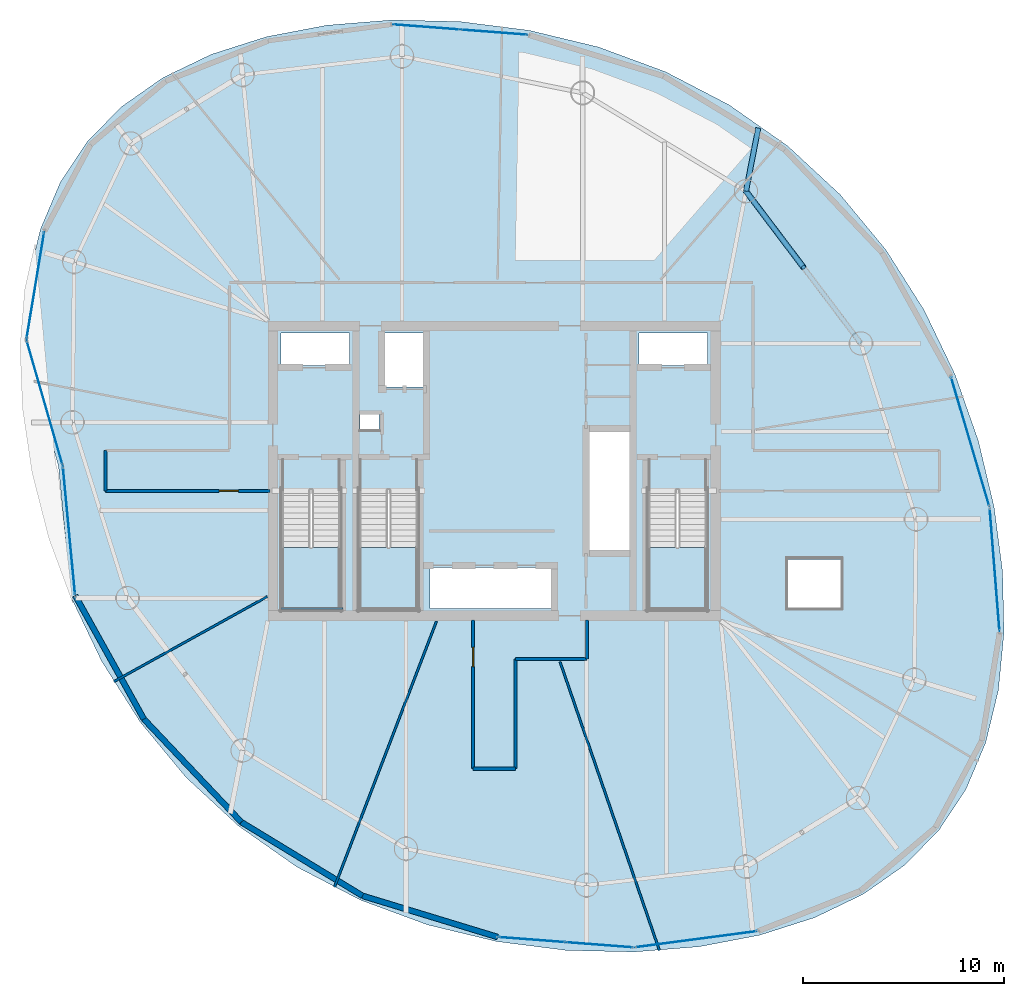
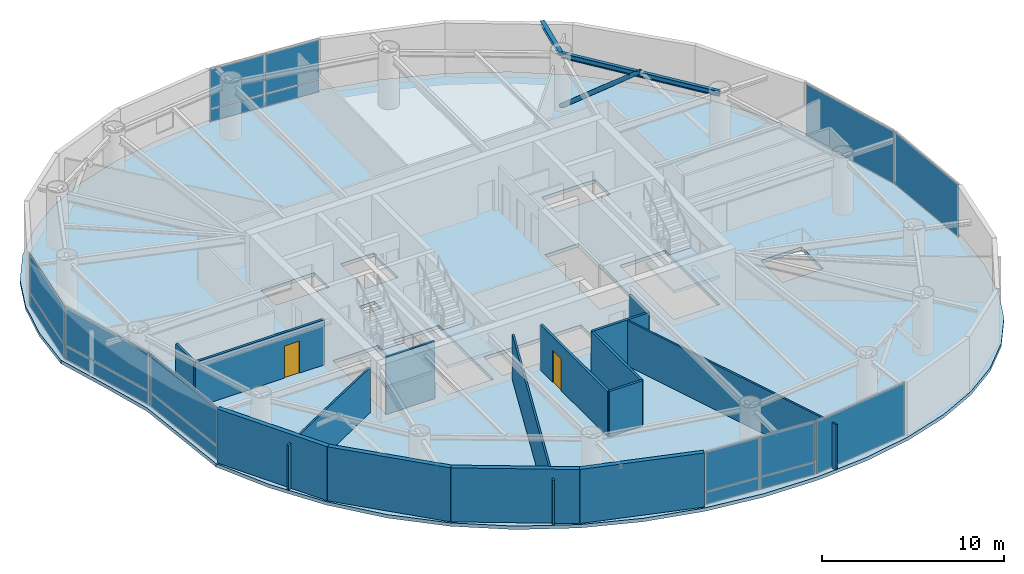
# One storey, part 15 of 21: 17 plates, 15 walls, 4 slabs, 2 beams, 2 doors, 1 member, 2 openings, 11 elements without a shape of their own.
"""IFC4 building model written with IfcOpenShell, lengths in metres."""

from ifc_helpers import new_model, si_unit, direction, frame, frame_2d, origin, origin_2d, place, context, subcontext, project, spatial, polyline, rectangle, hollow_circle, i_section, outline, extrude, material, layer, layer_set, material_profile, profile_set, type_object, element, fill, aggregate, save


model = new_model("IFC4")

# Units and contexts
model_context = context("Model", 3, precision=1e-05, world=origin(), true_north=direction((0.0, 1.0)))
body_context = subcontext(model_context, "Body", "Model", "MODEL_VIEW")
ifc_project = project(units=[si_unit("LENGTHUNIT", "METRE"), si_unit("AREAUNIT", "SQUARE_METRE"), si_unit("VOLUMEUNIT", "CUBIC_METRE"), si_unit("PLANEANGLEUNIT", "RADIAN"), si_unit("MASSUNIT", "GRAM", prefix="KILO")], contexts=[model_context])

# Site, building, storey
site_placement = place(None, origin())
site = spatial("IfcSite", under=ifc_project, at=site_placement, CompositionType="ELEMENT")
building_placement = place(site_placement, origin())
building = spatial("IfcBuilding", under=site, at=building_placement, Name="Bramvorn Convention Spire", CompositionType="ELEMENT")
storey_placement = place(building_placement, frame((0.0, 0.0, 186.60009765625)))
storey = spatial("IfcBuildingStorey", under=building, at=storey_placement, Name="L47", CompositionType="ELEMENT", Elevation=186.60009765625)

# Beams
ifc_material_1 = material(Name="Steel CSA G40.21 Grade 350 (350W)", Category="steel")
ifc_material_profile_1 = material_profile(ifc_material_1, i_section(OverallWidth=0.25390625, OverallDepth=0.2529296875, WebThickness=0.008544921875, FlangeThickness=0.01416015625, FilletRadius=0.011962890625, at=origin_2d()))
ifc_profile_set_1 = profile_set([ifc_material_profile_1], Name="Steel CSA G40.21 Grade 350 (350W) - W250X73")
beam_type_1 = type_object("IfcBeamType", Name="BM-W250X73", PredefinedType="BEAM", material=ifc_profile_set_1)
beam_1_placement = place(storey_placement, frame((50.501953125, 39.885009765625, 3.493408203125), z_axis=(0.190977895588, 0.981594337492, 0.0), x_axis=(-0.981594337492, 0.190977895588, 0.0)))
element("IfcBeam", 1, at=beam_1_placement, inside=storey, type_object=beam_type_1, Name="L47 slab-edge cantilever tip beam MC05", PredefinedType="BEAM", context=body_context, shape_type="SweptSolid", body=[
    extrude(i_section(OverallWidth=0.25390625, OverallDepth=0.2529296875, WebThickness=0.008544921875, FlangeThickness=0.01416015625, FilletRadius=0.011962890625, at=origin_2d()), origin(), (0.0, 0.0, 1.0), 3.19970703125),
])
ifc_material_profile_2 = material_profile(ifc_material_1, i_section(OverallWidth=0.205078125, OverallDepth=0.35400390625, WebThickness=0.009521484375, FlangeThickness=0.016845703125, FilletRadius=0.014892578125, at=origin_2d()))
ifc_profile_set_2 = profile_set([ifc_material_profile_2], Name="Steel CSA G40.21 Grade 350 (350W) - W360X79")
beam_type_2 = type_object("IfcBeamType", Name="BM-W360X79", PredefinedType="JOIST", material=ifc_profile_set_2)
beam_2_placement = place(storey_placement, frame((56.21044921875, 32.327392578125, 3.44287109375), z_axis=(-0.602718581414, 0.797953827999, 0.0), x_axis=(-0.797953827999, -0.602718581414, 0.0)))
element("IfcBeam", 2, at=beam_2_placement, inside=storey, type_object=beam_type_2, Name="L47 mega-column ring beam 04", PredefinedType="JOIST", context=body_context, shape_type="SweptSolid", body=[
    extrude(i_section(OverallWidth=0.205078125, OverallDepth=0.35400390625, WebThickness=0.009521484375, FlangeThickness=0.016845703125, FilletRadius=0.014892578125, at=origin_2d()), origin(), (0.0, 0.0, 1.0), 9.47119140625),
])

# Member
ifc_material_profile_3 = material_profile(ifc_material_1, hollow_circle(Radius=0.136474609375, WallThickness=0.0126953125, at=origin_2d()))
ifc_profile_set_3 = profile_set([ifc_material_profile_3], Name="Steel CSA G40.21 Grade 350 (350W) - CHS273X13")
member_type = type_object("IfcMemberType", Name="MBR-CHS273X13", PredefinedType="BRACE", material=ifc_profile_set_3)
member_placement = place(storey_placement, frame((50.501953125, 39.885009765625, 0.0), z_axis=(0.478846711924, -0.633956839206, 0.607292806235), x_axis=(0.797953827999, 0.602718581414, 0.0)))
element("IfcMember", 3, at=member_placement, inside=storey, type_object=member_type, Name="L47 perimeter Gothic lancet brace 4B", PredefinedType="BRACE", context=body_context, shape_type="SweptSolid", body=[
    extrude(hollow_circle(Radius=0.136474609375, WallThickness=0.0126953125, at=origin_2d()), origin(), (0.0, 0.0, 1.0), 5.960693359375),
])

# Curtain wall, plate
ifc_material_2 = material(Name="Anodised Bronze Unitised Curtain Wall", Category="aluminium")
ifc_layer_1 = layer(ifc_material_2, 0.179931640625)
ifc_layer_set_1 = layer_set([ifc_layer_1], Name="Anodised Bronze Unitised Curtain Wall - CW-OFF-FRIT")
curtain_wall_type_1 = type_object("IfcCurtainWallType", Name="CW-OFF-FRIT", PredefinedType="USERDEFINED", material=ifc_layer_set_1)
curtain_wall_1_placement = place(storey_placement, origin())
curtain_wall_1 = element("IfcCurtainWall", 4, at=curtain_wall_1_placement, inside=storey, type_object=curtain_wall_type_1, Name="L47 fritted glass curtain wall 03", ObjectType="UNITISED CURTAIN WALL", PredefinedType="USERDEFINED")
ifc_material_3 = material(Name="Laminated Low-E Glass (Triple IGU Solar Bronze Frit 28%)", Category="glass")
ifc_layer_2 = layer(ifc_material_3, 0.0400390625)
ifc_layer_set_2 = layer_set([ifc_layer_2], Name="Laminated Low-E Glass (Triple IGU Solar Bronze Frit 28%) - PNL-IGU-3")
plate_type_1 = type_object("IfcPlateType", Name="PNL-IGU-3", PredefinedType="CURTAIN_PANEL", material=ifc_layer_set_2)
plate_1_placement = place(storey_placement, frame((62.85498046875, 21.08154296875, 0.059814453125), z_axis=(0.0, 0.0, 1.0), x_axis=(0.079694154146, -0.996819362671, 0.0)))
plate_1 = element("IfcPlate", 5, at=plate_1_placement, type_object=plate_type_1, Name="CW3 panel 1.1", PredefinedType="CURTAIN_PANEL", context=body_context, shape_type="SweptSolid", body=[
    extrude(rectangle(XDim=6.106201171875, YDim=0.028076171875, at=origin_2d()), origin(), (0.0, 0.0, 1.0), 3.5),
])
aggregate(curtain_wall_1, [plate_1])

curtain_wall_2_placement = place(storey_placement, origin())
curtain_wall_2 = element("IfcCurtainWall", 6, at=curtain_wall_2_placement, inside=storey, type_object=curtain_wall_type_1, Name="L47 fritted glass curtain wall 04", ObjectType="UNITISED CURTAIN WALL", PredefinedType="USERDEFINED")
plate_2_placement = place(storey_placement, frame((61.6435546875, 27.4375, 0.059814453125), z_axis=(0.0, 0.0, 1.0), x_axis=(0.283966881738, -0.958834088921, 0.0)))
plate_2 = element("IfcPlate", 7, at=plate_2_placement, type_object=plate_type_1, Name="CW3 panel 1.1", PredefinedType="CURTAIN_PANEL", context=body_context, shape_type="SweptSolid", body=[
    extrude(rectangle(XDim=6.66455078125, YDim=0.028076171875, at=origin_2d()), origin(), (0.0, 0.0, 1.0), 3.5),
])
aggregate(curtain_wall_2, [plate_2])

# Curtain wall, plates
curtain_wall_3_placement = place(storey_placement, origin())
curtain_wall_3 = element("IfcCurtainWall", 8, at=curtain_wall_3_placement, inside=storey, type_object=curtain_wall_type_1, Name="L47 fritted glass curtain wall 09", ObjectType="UNITISED CURTAIN WALL", PredefinedType="USERDEFINED")
plate_3_placement = place(storey_placement, frame((34.6396484375, 48.039794921875, 0.059814453125), z_axis=(0.0, 0.0, 1.0), x_axis=(0.997056132632, -0.076675083187, 0.0)))
plate_3 = element("IfcPlate", 9, at=plate_3_placement, type_object=plate_type_1, Name="CW3 panel 1.1", PredefinedType="CURTAIN_PANEL", context=body_context, shape_type="SweptSolid", body=[
    extrude(rectangle(XDim=3.30224609375, YDim=0.028076171875, at=origin_2d()), origin(), (0.0, 0.0, 1.0), 0.81005859375),
])
plate_4_placement = place(storey_placement, frame((34.6396484375, 48.039794921875, 0.929931640625), z_axis=(0.0, 0.0, 1.0), x_axis=(0.997056132632, -0.076675083187, 0.0)))
plate_4 = element("IfcPlate", 10, at=plate_4_placement, type_object=plate_type_1, Name="CW3 panel 1.2", PredefinedType="CURTAIN_PANEL", context=body_context, shape_type="SweptSolid", body=[
    extrude(rectangle(XDim=3.30224609375, YDim=0.028076171875, at=origin_2d()), origin(), (0.0, 0.0, 1.0), 2.6298828125),
])
plate_5_placement = place(storey_placement, frame((37.991943359375, 47.781982421875, 0.059814453125), z_axis=(0.0, 0.0, 1.0), x_axis=(0.997056132632, -0.076675083187, 0.0)))
plate_5 = element("IfcPlate", 11, at=plate_5_placement, type_object=plate_type_1, Name="CW3 panel 2.1", PredefinedType="CURTAIN_PANEL", context=body_context, shape_type="SweptSolid", body=[
    extrude(rectangle(XDim=3.30224609375, YDim=0.028076171875, at=origin_2d()), origin(), (0.0, 0.0, 1.0), 0.81005859375),
])
plate_6_placement = place(storey_placement, frame((37.991943359375, 47.781982421875, 0.929931640625), z_axis=(0.0, 0.0, 1.0), x_axis=(0.997056132632, -0.076675083187, 0.0)))
plate_6 = element("IfcPlate", 12, at=plate_6_placement, type_object=plate_type_1, Name="CW3 panel 2.2", PredefinedType="CURTAIN_PANEL", context=body_context, shape_type="SweptSolid", body=[
    extrude(rectangle(XDim=3.30224609375, YDim=0.028076171875, at=origin_2d()), origin(), (0.0, 0.0, 1.0), 2.6298828125),
])
aggregate(curtain_wall_3, [plate_3, plate_4, plate_5, plate_6])

curtain_wall_4_placement = place(storey_placement, origin())
curtain_wall_4 = element("IfcCurtainWall", 13, at=curtain_wall_4_placement, inside=storey, type_object=curtain_wall_type_1, Name="L47 fritted glass curtain wall 21", ObjectType="UNITISED CURTAIN WALL", PredefinedType="USERDEFINED")
plate_7_placement = place(storey_placement, frame((43.226806640625, 2.451416015625, 0.059814453125), z_axis=(0.0, 0.0, 1.0), x_axis=(-0.997057345973, 0.07665930368, 0.0)))
plate_7 = element("IfcPlate", 14, at=plate_7_placement, type_object=plate_type_1, Name="CW3 panel 1.1", PredefinedType="CURTAIN_PANEL", context=body_context, shape_type="SweptSolid", body=[
    extrude(rectangle(XDim=3.30224609375, YDim=0.028076171875, at=origin_2d()), origin(), (0.0, 0.0, 1.0), 0.81005859375),
])
plate_8_placement = place(storey_placement, frame((43.226806640625, 2.451416015625, 0.929931640625), z_axis=(0.0, 0.0, 1.0), x_axis=(-0.997057345973, 0.07665930368, 0.0)))
plate_8 = element("IfcPlate", 15, at=plate_8_placement, type_object=plate_type_1, Name="CW3 panel 1.2", PredefinedType="CURTAIN_PANEL", context=body_context, shape_type="SweptSolid", body=[
    extrude(rectangle(XDim=3.30224609375, YDim=0.028076171875, at=origin_2d()), origin(), (0.0, 0.0, 1.0), 2.6298828125),
])
plate_9_placement = place(storey_placement, frame((39.87451171875, 2.709228515625, 0.059814453125), z_axis=(0.0, 0.0, 1.0), x_axis=(-0.997057345973, 0.07665930368, 0.0)))
plate_9 = element("IfcPlate", 16, at=plate_9_placement, type_object=plate_type_1, Name="CW3 panel 2.1", PredefinedType="CURTAIN_PANEL", context=body_context, shape_type="SweptSolid", body=[
    extrude(rectangle(XDim=3.30224609375, YDim=0.028076171875, at=origin_2d()), origin(), (0.0, 0.0, 1.0), 0.81005859375),
])
plate_10_placement = place(storey_placement, frame((39.87451171875, 2.709228515625, 0.929931640625), z_axis=(0.0, 0.0, 1.0), x_axis=(-0.997057345973, 0.07665930368, 0.0)))
plate_10 = element("IfcPlate", 17, at=plate_10_placement, type_object=plate_type_1, Name="CW3 panel 2.2", PredefinedType="CURTAIN_PANEL", context=body_context, shape_type="SweptSolid", body=[
    extrude(rectangle(XDim=3.30224609375, YDim=0.028076171875, at=origin_2d()), origin(), (0.0, 0.0, 1.0), 2.6298828125),
])
aggregate(curtain_wall_4, [plate_7, plate_8, plate_9, plate_10])

# Curtain wall, plate
curtain_wall_5_placement = place(storey_placement, origin())
curtain_wall_5 = element("IfcCurtainWall", 18, at=curtain_wall_5_placement, inside=storey, type_object=curtain_wall_type_1, Name="L47 fritted glass curtain wall 22", ObjectType="UNITISED CURTAIN WALL", PredefinedType="USERDEFINED")
plate_11_placement = place(storey_placement, frame((48.019287109375, 2.728271484375, 0.059814453125), z_axis=(0.0, 0.0, 1.0), x_axis=(-0.991379295411, -0.131023252248, 0.0)))
plate_11 = element("IfcPlate", 19, at=plate_11_placement, type_object=plate_type_1, Name="CW3 panel 1.1", PredefinedType="CURTAIN_PANEL", context=body_context, shape_type="SweptSolid", body=[
    extrude(rectangle(XDim=6.1064453125, YDim=0.028076171875, at=origin_2d()), origin(), (0.0, 0.0, 1.0), 3.5),
])
aggregate(curtain_wall_5, [plate_11])

# Curtain wall, plates
ifc_layer_3 = layer(ifc_material_2, 0.219970703125)
ifc_layer_set_3 = layer_set([ifc_layer_3], Name="Anodised Bronze Unitised Curtain Wall - CW-SKYGARDEN")
curtain_wall_type_2 = type_object("IfcCurtainWallType", Name="CW-SKYGARDEN", PredefinedType="USERDEFINED", material=ifc_layer_set_3)
curtain_wall_6_placement = place(storey_placement, origin())
curtain_wall_6 = element("IfcCurtainWall", 20, at=curtain_wall_6_placement, inside=storey, type_object=curtain_wall_type_2, Name="L47 Sky Garden glazed facade 14", ObjectType="WINTER GARDEN GLAZING", PredefinedType="USERDEFINED")
ifc_material_4 = material(Name="Laminated Low-E Glass (Acoustic Laminated Podium Triple IGU)", Category="glass")
ifc_layer_4 = layer(ifc_material_4, 0.0458984375)
ifc_layer_set_4 = layer_set([ifc_layer_4], Name="Laminated Low-E Glass (Acoustic Laminated Podium Triple IGU) - PNL-IGU-5")
plate_type_2 = type_object("IfcPlateType", Name="PNL-IGU-5", PredefinedType="CURTAIN_PANEL", material=ifc_layer_set_4)
plate_12_placement = place(storey_placement, frame((15.20947265625, 35.20849609375, 0.06005859375), z_axis=(0.0, 0.0, 1.0), x_axis=(0.163253401683, 0.986584171188, 0.0)))
plate_12 = element("IfcPlate", 21, at=plate_12_placement, type_object=plate_type_2, Name="CW4 panel 1.1", PredefinedType="CURTAIN_PANEL", context=body_context, shape_type="SweptSolid", body=[
    extrude(rectangle(XDim=5.344482421875, YDim=0.028076171875, at=origin_2d()), origin(), (0.0, 0.0, 1.0), 0.909912109375),
])
plate_13_placement = place(storey_placement, frame((15.20947265625, 35.20849609375, 1.02978515625), z_axis=(0.0, 0.0, 1.0), x_axis=(0.163253401683, 0.986584171188, 0.0)))
plate_13 = element("IfcPlate", 22, at=plate_13_placement, type_object=plate_type_2, Name="CW4 panel 1.2", PredefinedType="CURTAIN_PANEL", context=body_context, shape_type="SweptSolid", body=[
    extrude(rectangle(XDim=5.344482421875, YDim=0.028076171875, at=origin_2d()), origin(), (0.0, 0.0, 1.0), 2.530029296875),
])
aggregate(curtain_wall_6, [plate_12, plate_13])

curtain_wall_7_placement = place(storey_placement, origin())
curtain_wall_7 = element("IfcCurtainWall", 23, at=curtain_wall_7_placement, inside=storey, type_object=curtain_wall_type_2, Name="L47 Sky Garden glazed facade 15", ObjectType="WINTER GARDEN GLAZING", PredefinedType="USERDEFINED")
plate_14_placement = place(storey_placement, frame((15.668212890625, 29.38037109375, 0.06005859375), z_axis=(0.0, 0.0, 1.0), x_axis=(-0.277496565426, 0.960726629264, 0.0)))
plate_14 = element("IfcPlate", 24, at=plate_14_placement, type_object=plate_type_2, Name="CW4 panel 1.1", PredefinedType="CURTAIN_PANEL", context=body_context, shape_type="SweptSolid", body=[
    extrude(rectangle(XDim=6.401611328125, YDim=0.028076171875, at=origin_2d()), origin(), (0.0, 0.0, 1.0), 0.909912109375),
])
plate_15_placement = place(storey_placement, frame((15.668212890625, 29.38037109375, 1.02978515625), z_axis=(0.0, 0.0, 1.0), x_axis=(-0.277496565426, 0.960726629264, 0.0)))
plate_15 = element("IfcPlate", 25, at=plate_15_placement, type_object=plate_type_2, Name="CW4 panel 1.2", PredefinedType="CURTAIN_PANEL", context=body_context, shape_type="SweptSolid", body=[
    extrude(rectangle(XDim=6.401611328125, YDim=0.028076171875, at=origin_2d()), origin(), (0.0, 0.0, 1.0), 2.530029296875),
])
aggregate(curtain_wall_7, [plate_14, plate_15])

curtain_wall_8_placement = place(storey_placement, origin())
curtain_wall_8 = element("IfcCurtainWall", 26, at=curtain_wall_8_placement, inside=storey, type_object=curtain_wall_type_2, Name="L47 Sky Garden glazed facade 16", ObjectType="WINTER GARDEN GLAZING", PredefinedType="USERDEFINED")
plate_16_placement = place(storey_placement, frame((16.879638671875, 23.0244140625, 0.06005859375), z_axis=(0.0, 0.0, 1.0), x_axis=(-0.094664796218, 0.995509204557, 0.0)))
plate_16 = element("IfcPlate", 27, at=plate_16_placement, type_object=plate_type_2, Name="CW4 panel 1.1", PredefinedType="CURTAIN_PANEL", context=body_context, shape_type="SweptSolid", body=[
    extrude(rectangle(XDim=6.35546875, YDim=0.028076171875, at=origin_2d()), origin(), (0.0, 0.0, 1.0), 0.909912109375),
])
plate_17_placement = place(storey_placement, frame((16.879638671875, 23.0244140625, 1.02978515625), z_axis=(0.0, 0.0, 1.0), x_axis=(-0.094664796218, 0.995509204557, 0.0)))
plate_17 = element("IfcPlate", 28, at=plate_17_placement, type_object=plate_type_2, Name="CW4 panel 1.2", PredefinedType="CURTAIN_PANEL", context=body_context, shape_type="SweptSolid", body=[
    extrude(rectangle(XDim=6.35546875, YDim=0.028076171875, at=origin_2d()), origin(), (0.0, 0.0, 1.0), 2.530029296875),
])
aggregate(curtain_wall_8, [plate_16, plate_17])

# Stair, slab
ifc_material_5 = material(Name="Concrete C40/50 Precast Stair", Category="concrete")
stair_type = type_object("IfcStairType", Name="ST-TOWER-1550", PredefinedType="HALF_TURN_STAIR", material=ifc_material_5)
stair_1_placement = place(storey_placement, origin())
stair_1 = element("IfcStair", 29, at=stair_1_placement, inside=storey, type_object=stair_type, Name="L47 Protected Exit Stair ST1", PredefinedType="HALF_TURN_STAIR")
ifc_material_6 = material(Name="Concrete C40/50 Stair Landing", Category="concrete")
ifc_layer_5 = layer(ifc_material_6, 0.219970703125)
ifc_layer_set_5 = layer_set([ifc_layer_5], Name="Concrete C40/50 Stair Landing - SLB-STAIR-LANDING")
slab_type_1 = type_object("IfcSlabType", Name="SLB-STAIR-LANDING", PredefinedType="LANDING", material=ifc_layer_set_5)
slab_1_placement = place(storey_placement, frame((0.0, 0.0, 1.724853515625)))
slab_1 = element("IfcSlab", 30, at=slab_1_placement, type_object=slab_type_1, Name="ST1 landing 1", PredefinedType="LANDING", context=body_context, shape_type="SweptSolid", body=[
    extrude(outline(polyline([(27.449951171875, 22.199951171875), (27.449951171875, 19.10009765625), (30.35009765625, 19.10009765625), (30.35009765625, 22.199951171875), (27.449951171875, 22.199951171875)])), origin(), (0.0, 0.0, 1.0), 0.199951171875),
])
aggregate(stair_1, [slab_1])

stair_2_placement = place(storey_placement, origin())
stair_2 = element("IfcStair", 31, at=stair_2_placement, inside=storey, type_object=stair_type, Name="L47 Protected Exit Stair ST2", PredefinedType="HALF_TURN_STAIR")
slab_2_placement = place(storey_placement, frame((0.0, 0.0, 1.724853515625)))
slab_2 = element("IfcSlab", 32, at=slab_2_placement, type_object=slab_type_1, Name="ST2 landing 1", PredefinedType="LANDING", context=body_context, shape_type="SweptSolid", body=[
    extrude(outline(polyline([(45.64990234375, 22.199951171875), (45.64990234375, 19.10009765625), (48.550048828125, 19.10009765625), (48.550048828125, 22.199951171875), (45.64990234375, 22.199951171875)])), origin(), (0.0, 0.0, 1.0), 0.199951171875),
])
aggregate(stair_2, [slab_2])

stair_3_placement = place(storey_placement, origin())
stair_3 = element("IfcStair", 33, at=stair_3_placement, inside=storey, type_object=stair_type, Name="L47 Protected Exit Stair ST3", PredefinedType="HALF_TURN_STAIR")
slab_3_placement = place(storey_placement, frame((0.0, 0.0, 1.724853515625)))
slab_3 = element("IfcSlab", 34, at=slab_3_placement, type_object=slab_type_1, Name="ST3 landing 1", PredefinedType="LANDING", context=body_context, shape_type="SweptSolid", body=[
    extrude(outline(polyline([(31.300048828125, 22.199951171875), (31.300048828125, 19.10009765625), (34.199951171875, 19.10009765625), (34.199951171875, 22.199951171875), (31.300048828125, 22.199951171875)])), origin(), (0.0, 0.0, 1.0), 0.199951171875),
])
aggregate(stair_3, [slab_3])

# Slab
ifc_material_7 = material(Name="Concrete C40/50", Category="concrete")
ifc_layer_6 = layer(ifc_material_7, 0.22998046875)
ifc_layer_set_6 = layer_set([ifc_layer_6], Name="Concrete C40/50 - SLB-Z3-230")
slab_type_2 = type_object("IfcSlabType", Name="SLB-Z3-230", PredefinedType="FLOOR", material=ifc_layer_set_6)
slab_4_placement = place(storey_placement, frame((0.0, 0.0, -0.22998046875)))
element("IfcSlab", 35, at=slab_4_placement, inside=storey, type_object=slab_type_2, Name="L47 tower floor slab", PredefinedType="FLOOR", context=body_context, shape_type="SweptSolid", body=[
    extrude(outline(polyline([(60.08642578125, 8.146484375), (61.427490234375, 10.175537109375), (62.409423828125, 12.49462890625), (63.038330078125, 15.091796875), (63.317626953125, 17.940673828125), (63.248046875, 20.9990234375), (62.82568359375, 24.2080078125), (62.042724609375, 27.49462890625), (60.890380859375, 30.77490234375), (59.362548828125, 33.960693359375), (57.458984375, 36.965087890625), (55.18994140625, 39.709228515625), (52.579833984375, 42.127685546875), (49.667724609375, 44.173095703125), (46.509033203125, 45.81640625), (43.172607421875, 47.0478515625), (39.737060546875, 47.8740234375), (36.2880859375, 48.31298828125), (32.910400390625, 48.3896484375), (29.68408203125, 48.130126953125), (26.67919921875, 47.55712890625), (23.9521484375, 46.686767578125), (21.54443359375, 45.527587890625), (19.482666015625, 44.0810546875), (17.77978515625, 42.3447265625), (16.439208984375, 40.315673828125), (15.456787109375, 37.99658203125), (14.828125, 35.3994140625), (14.548828125, 32.55078125), (15.49365234375, 29.33935546875), (16.35400390625, 26.226318359375), (16.65576171875, 23.07763671875), (16.97607421875, 19.71630859375), (18.50390625, 16.530517578125), (20.40771484375, 13.526123046875), (22.676513671875, 10.781982421875), (25.28662109375, 8.36328125), (28.198486328125, 6.318115234375), (31.357421875, 4.6748046875), (34.694091796875, 3.443359375), (38.12939453125, 2.6171875), (41.578369140625, 2.17822265625), (44.9560546875, 2.1015625), (48.182373046875, 2.361083984375), (51.1875, 2.93408203125), (53.914306640625, 3.8046875), (56.322021484375, 4.963623046875), (58.3837890625, 6.41015625), (60.08642578125, 8.146484375)]), holes=[polyline([(27.449951171875, 25.050048828125), (27.449951171875, 19.10009765625), (30.35009765625, 19.10009765625), (30.35009765625, 25.050048828125), (27.449951171875, 25.050048828125)]), polyline([(45.64990234375, 25.050048828125), (45.64990234375, 19.10009765625), (48.550048828125, 19.10009765625), (48.550048828125, 25.050048828125), (45.64990234375, 25.050048828125)]), polyline([(31.300048828125, 25.050048828125), (31.300048828125, 19.10009765625), (34.199951171875, 19.10009765625), (34.199951171875, 25.050048828125), (31.300048828125, 25.050048828125)]), polyline([(27.39990234375, 31.219970703125), (30.800048828125, 31.219970703125), (30.800048828125, 32.85009765625), (27.39990234375, 32.85009765625), (27.39990234375, 31.219970703125)]), polyline([(45.199951171875, 31.219970703125), (48.60009765625, 31.219970703125), (48.60009765625, 32.85009765625), (45.199951171875, 32.85009765625), (45.199951171875, 31.219970703125)]), polyline([(32.449951171875, 30.14990234375), (34.56005859375, 30.14990234375), (34.56005859375, 32.85009765625), (32.449951171875, 32.85009765625), (32.449951171875, 30.14990234375)]), polyline([(34.800048828125, 19.14990234375), (40.97998046875, 19.14990234375), (40.97998046875, 21.199951171875), (34.800048828125, 21.199951171875), (34.800048828125, 19.14990234375)]), polyline([(42.6201171875, 22.0), (44.75, 22.0), (44.75, 28.0), (42.6201171875, 28.0), (42.6201171875, 22.0)]), polyline([(31.320068359375, 28.02001953125), (32.280029296875, 28.02001953125), (32.280029296875, 28.820068359375), (31.320068359375, 28.820068359375), (31.320068359375, 28.02001953125)]), polyline([(52.60009765625, 19.199951171875), (55.199951171875, 19.199951171875), (55.199951171875, 21.60009765625), (52.60009765625, 21.60009765625), (52.60009765625, 19.199951171875)])]), origin(), (0.0, 0.0, 1.0), 0.22998046875),
])

# Walls
ifc_material_8 = material(Name="Precast Concrete C40/50 with Bronze Terracotta Rainscreen", Category="masonry")
ifc_layer_7 = layer(ifc_material_8, 0.300048828125)
ifc_layer_set_7 = layer_set([ifc_layer_7], Name="Precast Concrete C40/50 with Bronze Terracotta Rainscreen - WL-EXT-BRONZE-300")
wall_type_1 = type_object("IfcWallType", Name="WL-EXT-BRONZE-300", PredefinedType="SOLIDWALL", material=ifc_layer_set_7)
wall_1_placement = place(storey_placement, frame((20.5947265625, 13.6669921875, 0.0), z_axis=(0.0, 0.0, 1.0), x_axis=(-0.485725635205, 0.87411132432, 0.0)))
element("IfcWall", 36, at=wall_1_placement, inside=storey, type_object=wall_type_1, Name="L47 expressed bronze Gothic lancet pier wall 17", PredefinedType="SOLIDWALL", context=body_context, shape_type="SweptSolid", body=[
    extrude(rectangle(XDim=7.017822265625, YDim=0.280029296875, at=frame_2d((3.5087890625, 0.0))), origin(), (0.0, 0.0, 1.0), 3.619873046875),
])
wall_2_placement = place(storey_placement, frame((25.43603515625, 8.548095703125, 0.0), z_axis=(0.0, 0.0, 1.0), x_axis=(-0.687133126729, 0.726531531423, 0.0)))
element("IfcWall", 37, at=wall_2_placement, inside=storey, type_object=wall_type_1, Name="L47 expressed bronze Gothic lancet pier wall 18", PredefinedType="SOLIDWALL", context=body_context, shape_type="SweptSolid", body=[
    extrude(rectangle(XDim=7.045654296875, YDim=0.280029296875, at=frame_2d((3.52294921875, 0.0))), origin(), (0.0, 0.0, 1.0), 3.619873046875),
])
wall_3_placement = place(storey_placement, frame((31.455810546875, 4.887451171875, 0.0), z_axis=(0.0, 0.0, 1.0), x_axis=(-0.854423309843, 0.519577527995, 0.0)))
element("IfcWall", 38, at=wall_3_placement, inside=storey, type_object=wall_type_1, Name="L47 expressed bronze Gothic lancet pier wall 19", PredefinedType="SOLIDWALL", context=body_context, shape_type="SweptSolid", body=[
    extrude(rectangle(XDim=7.04541015625, YDim=0.280029296875, at=frame_2d((3.522705078125, 0.0))), origin(), (0.0, 0.0, 1.0), 3.619873046875),
])
wall_4_placement = place(storey_placement, frame((38.168212890625, 2.84033203125, 0.0), z_axis=(0.0, 0.0, 1.0), x_axis=(-0.956506455403, 0.291711159837, 0.0)))
element("IfcWall", 39, at=wall_4_placement, inside=storey, type_object=wall_type_1, Name="L47 expressed bronze Gothic lancet pier wall 20", PredefinedType="SOLIDWALL", context=body_context, shape_type="SweptSolid", body=[
    extrude(rectangle(XDim=7.017578125, YDim=0.280029296875, at=frame_2d((3.5087890625, 0.0))), origin(), (0.0, 0.0, 1.0), 3.619873046875),
])
ifc_material_9 = material(Name="Lightweight En-Suite & Wet-Wall Partition", Category="gypsum")
ifc_layer_8 = layer(ifc_material_9, 0.110107421875)
ifc_layer_set_8 = layer_set([ifc_layer_8], Name="Lightweight En-Suite & Wet-Wall Partition - WL-PART-110")
wall_type_2 = type_object("IfcWallType", Name="WL-PART-110", PredefinedType="PARTITIONING", material=ifc_layer_set_8)
wall_5_placement = place(storey_placement, frame((26.72998046875, 19.7529296875, 0.0), z_axis=(0.0, 0.0, 1.0), x_axis=(-0.874613844083, -0.484820197329, 0.0)))
element("IfcWall", 40, at=wall_5_placement, inside=storey, type_object=wall_type_2, Name="L47 Tenant suite partition 6", PredefinedType="PARTITIONING", context=body_context, shape_type="SweptSolid", body=[
    extrude(rectangle(XDim=8.7197265625, YDim=0.110107421875, at=frame_2d((4.35986328125, 0.0))), origin(), (0.0, 0.0, 1.0), 3.034912109375),
])
wall_6_placement = place(storey_placement, frame((35.132568359375, 18.530029296875, 0.0), z_axis=(0.0, 0.0, 1.0), x_axis=(-0.358378051457, -0.933576548674, 0.0)))
element("IfcWall", 41, at=wall_6_placement, inside=storey, type_object=wall_type_2, Name="L47 Tenant suite partition 7", PredefinedType="PARTITIONING", context=body_context, shape_type="SweptSolid", body=[
    extrude(rectangle(XDim=14.156005859375, YDim=0.110107421875, at=frame_2d((7.078125, 0.0))), origin(), (0.0, 0.0, 1.0), 3.034912109375),
])
wall_7_placement = place(storey_placement, frame((41.267578125, 16.510009765625, 0.0), z_axis=(0.0, 0.0, 1.0), x_axis=(0.325572874443, -0.945516950365, 0.0)))
element("IfcWall", 42, at=wall_7_placement, inside=storey, type_object=wall_type_2, Name="L47 Tenant suite partition 8", PredefinedType="PARTITIONING", context=body_context, shape_type="SweptSolid", body=[
    extrude(rectangle(XDim=15.1640625, YDim=0.110107421875, at=frame_2d((7.58203125, 0.0))), origin(), (0.0, 0.0, 1.0), 3.034912109375),
])

# Wall, opening, door
ifc_material_10 = material(Name="Acoustic Metal-Stud Tenant/Corridor Partition", Category="gypsum")
ifc_layer_9 = layer(ifc_material_10, 0.14990234375)
ifc_layer_set_9 = layer_set([ifc_layer_9], Name="Acoustic Metal-Stud Tenant/Corridor Partition - WL-PART-150")
wall_type_3 = type_object("IfcWallType", Name="WL-PART-150", PredefinedType="PARTITIONING", material=ifc_layer_set_9)
wall_8_placement = place(storey_placement, frame((18.68798828125, 25.0, 0.0), z_axis=(0.0, 0.0, 1.0), x_axis=(1.0, 0.0, 0.0)))
wall_8 = element("IfcWall", 43, at=wall_8_placement, inside=storey, type_object=wall_type_3, Name="L47 West wing spine south wall", PredefinedType="PARTITIONING", context=body_context, shape_type="SweptSolid", body=[
    extrude(rectangle(XDim=8.162109375, YDim=0.14990234375, at=frame_2d((4.0810546875, 0.0))), origin(), (0.0, 0.0, 1.0), 3.034912109375),
])
opening_1_placement = place(wall_8_placement, frame((5.646484375, 0.0, 0.0)))
opening_1 = element("IfcOpeningElement", 44, at=opening_1_placement, cuts=wall_8, Name="Opening DH-095", PredefinedType="OPENING", context=body_context, shape_type="SweptSolid", body=[
    extrude(rectangle(XDim=0.949951171875, YDim=2.14990234375, at=frame_2d((0.47509765625, 1.074951171875))), frame((0.0, 0.0849609375, 0.0), z_axis=(0.0, -1.0, 0.0), x_axis=(1.0, 0.0, 0.0)), (0.0, 0.0, 1.0), 0.169921875),
])
ifc_material_11 = material(Name="Solid-Core Acoustic Guestroom Entry Door", Category="wood")
door_type = type_object("IfcDoorType", Name="DR-HOTEL-950", OperationType="NOTDEFINED", PredefinedType="DOOR", material=ifc_material_11)
door_1_placement = place(opening_1_placement, origin())
door_1 = element("IfcDoor", 45, at=door_1_placement, inside=storey, type_object=door_type, Name="L47 Conference Meeting Room 5 5 door", OperationType="SINGLE_SWING_RIGHT", OverallHeight=2.14990234375, OverallWidth=0.949951171875, PredefinedType="DOOR", context=body_context, shape_type="SweptSolid", body=[
    extrude(rectangle(XDim=0.949951171875, YDim=2.14990234375, at=frame_2d((0.47509765625, 1.074951171875))), frame((0.0, 0.02490234375, 0.0), z_axis=(0.0, -1.0, 0.0), x_axis=(1.0, 0.0, 0.0)), (0.0, 0.0, 1.0), 0.050048828125),
])
fill(opening_1, door_1)

# Wall
wall_9_placement = place(storey_placement, frame((18.68798828125, 25.0, 0.0), z_axis=(0.0, 0.0, 1.0), x_axis=(0.0, 1.0, 0.0)))
element("IfcWall", 46, at=wall_9_placement, inside=storey, type_object=wall_type_3, Name="L47 West wing spine end wall", PredefinedType="PARTITIONING", context=body_context, shape_type="SweptSolid", body=[
    extrude(rectangle(XDim=2.0, YDim=0.14990234375, at=frame_2d((1.0, 0.0))), origin(), (0.0, 0.0, 1.0), 3.034912109375),
])

# Wall, opening, door
wall_10_placement = place(storey_placement, frame((36.949951171875, 11.199951171875, 0.0), z_axis=(0.0, 0.0, 1.0), x_axis=(0.0, 1.0, 0.0)))
wall_10 = element("IfcWall", 47, at=wall_10_placement, inside=storey, type_object=wall_type_3, Name="L47 South axial spine west wall", PredefinedType="PARTITIONING", context=body_context, shape_type="SweptSolid", body=[
    extrude(rectangle(XDim=7.400146484375, YDim=0.14990234375, at=frame_2d((3.7001953125, 0.0))), origin(), (0.0, 0.0, 1.0), 3.034912109375),
])
opening_2_placement = place(wall_10_placement, frame((5.074951171875, 0.0, 0.0)))
opening_2 = element("IfcOpeningElement", 48, at=opening_2_placement, cuts=wall_10, Name="Opening DH-095", PredefinedType="OPENING", context=body_context, shape_type="SweptSolid", body=[
    extrude(rectangle(XDim=0.949951171875, YDim=2.14990234375, at=frame_2d((0.47509765625, 1.074951171875))), frame((0.0, 0.0849609375, 0.0), z_axis=(0.0, -1.0, 0.0), x_axis=(1.0, 0.0, 0.0)), (0.0, 0.0, 1.0), 0.169921875),
])
door_2_placement = place(opening_2_placement, origin())
door_2 = element("IfcDoor", 49, at=door_2_placement, inside=storey, type_object=door_type, Name="L47 Breakout Kitchen 7 door", OperationType="SINGLE_SWING_LEFT", OverallHeight=2.14990234375, OverallWidth=0.949951171875, PredefinedType="DOOR", context=body_context, shape_type="SweptSolid", body=[
    extrude(rectangle(XDim=0.949951171875, YDim=2.14990234375, at=frame_2d((0.47509765625, 1.074951171875))), frame((0.0, 0.02490234375, 0.0), z_axis=(0.0, -1.0, 0.0), x_axis=(1.0, 0.0, 0.0)), (0.0, 0.0, 1.0), 0.050048828125),
])
fill(opening_2, door_2)

# Walls
wall_11_placement = place(storey_placement, frame((39.050048828125, 11.199951171875, 0.0), z_axis=(0.0, 0.0, 1.0), x_axis=(0.0, 1.0, 0.0)))
element("IfcWall", 50, at=wall_11_placement, inside=storey, type_object=wall_type_3, Name="L47 South axial spine east wall", PredefinedType="PARTITIONING", context=body_context, shape_type="SweptSolid", body=[
    extrude(rectangle(XDim=5.449951171875, YDim=0.14990234375, at=frame_2d((2.72509765625, 0.0))), origin(), (0.0, 0.0, 1.0), 3.034912109375),
])
wall_12_placement = place(storey_placement, frame((39.050048828125, 16.64990234375, 0.0), z_axis=(0.0, 0.0, 1.0), x_axis=(1.0, 0.0, 0.0)))
element("IfcWall", 51, at=wall_12_placement, inside=storey, type_object=wall_type_3, Name="L47 South lift lobby link wall", PredefinedType="PARTITIONING", context=body_context, shape_type="SweptSolid", body=[
    extrude(rectangle(XDim=3.550048828125, YDim=0.14990234375, at=frame_2d((1.77490234375, 0.0))), origin(), (0.0, 0.0, 1.0), 3.034912109375),
])
wall_13_placement = place(storey_placement, frame((42.60009765625, 16.64990234375, 0.0), z_axis=(0.0, 0.0, 1.0), x_axis=(0.0, 1.0, 0.0)))
element("IfcWall", 52, at=wall_13_placement, inside=storey, type_object=wall_type_3, Name="L47 South lift lobby east cheek", PredefinedType="PARTITIONING", context=body_context, shape_type="SweptSolid", body=[
    extrude(rectangle(XDim=1.9501953125, YDim=0.14990234375, at=frame_2d((0.97509765625, 0.0))), origin(), (0.0, 0.0, 1.0), 3.034912109375),
])
wall_14_placement = place(storey_placement, frame((36.949951171875, 11.199951171875, 0.0), z_axis=(0.0, 0.0, 1.0), x_axis=(1.0, 0.0, 0.0)))
element("IfcWall", 53, at=wall_14_placement, inside=storey, type_object=wall_type_3, Name="L47 South axial spine end wall", PredefinedType="PARTITIONING", context=body_context, shape_type="SweptSolid", body=[
    extrude(rectangle(XDim=2.10009765625, YDim=0.14990234375, at=frame_2d((1.050048828125, 0.0))), origin(), (0.0, 0.0, 1.0), 3.034912109375),
])
ifc_material_12 = material(Name="Concrete C50/60", Category="concrete")
ifc_layer_10 = layer(ifc_material_12, 0.1201171875)
ifc_layer_set_10 = layer_set([ifc_layer_10], Name="Concrete C50/60 - WL-STAIR-RC-120")
wall_type_4 = type_object("IfcWallType", Name="WL-STAIR-RC-120", PredefinedType="SHEAR", material=ifc_layer_set_10)
wall_15_placement = place(storey_placement, frame((27.39501953125, 19.159912109375, 0.0), z_axis=(0.0, 0.0, 1.0), x_axis=(1.0, 0.0, 0.0)))
element("IfcWall", 54, at=wall_15_placement, inside=storey, type_object=wall_type_4, Name="L47 ST1 south bearing shear wall", PredefinedType="SHEAR", context=body_context, shape_type="SweptSolid", body=[
    extrude(rectangle(XDim=3.094970703125, YDim=0.1201171875, at=frame_2d((1.54736328125, 0.0))), origin(), (0.0, 0.0, 1.0), 3.849853515625),
])

save(model, "model.ifc")
